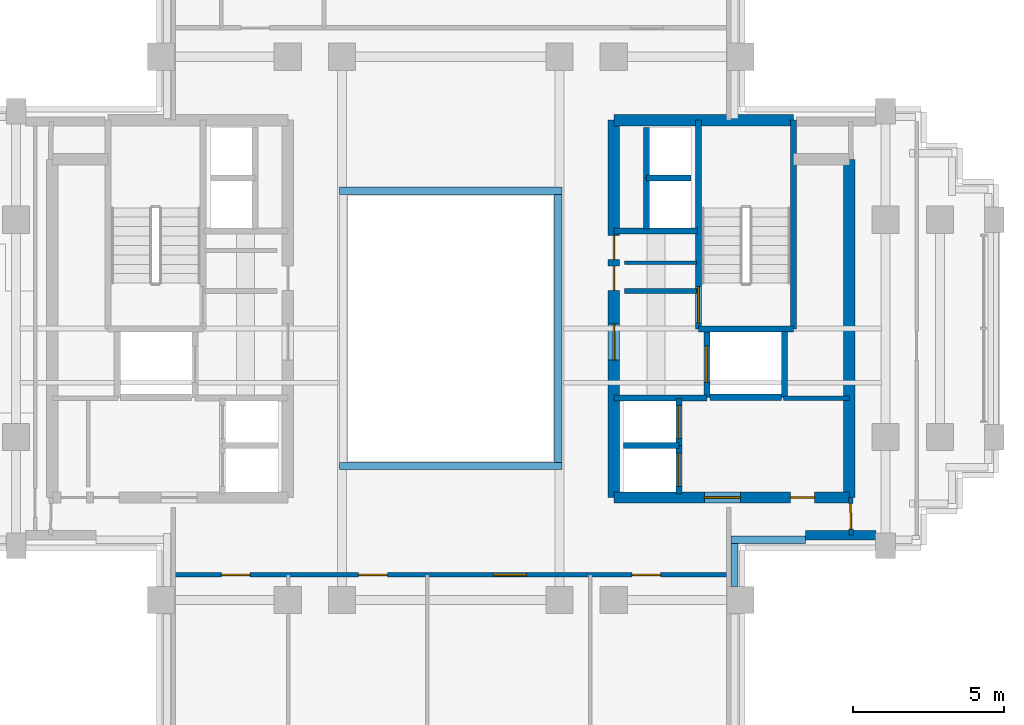
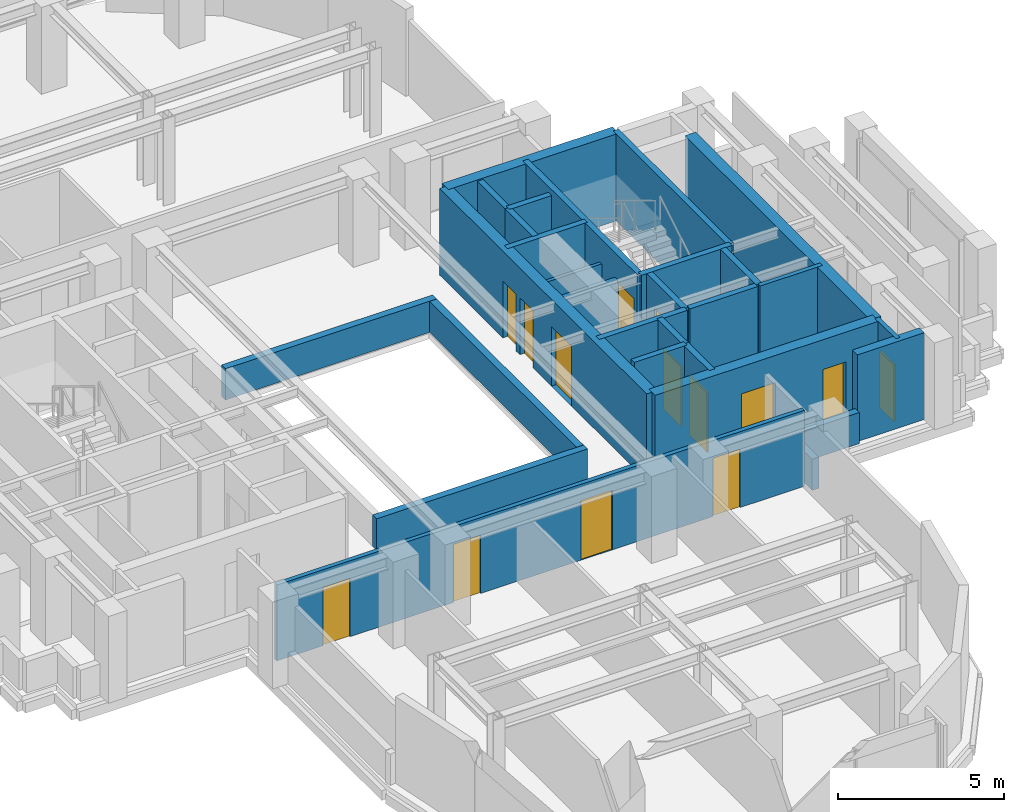
# One storey, part 7 of 11: 29 walls, 14 doors, 14 openings.
"""IFC4 building model written with IfcOpenShell, lengths in metres."""

from ifc_helpers import new_model, si_unit, direction, frame, frame_2d, origin, place, context, subcontext, project, spatial, rectangle, extrude, source, transform, mapped, material, layer, layer_set, type_object, element, fill, save


model = new_model("IFC4")

# Units and contexts
model_context = context("Model", 3, precision=1e-05, world=origin(), true_north=direction((0.0, 1.0)))
body_context = subcontext(model_context, "Body", "Model", "MODEL_VIEW")
ifc_project = project(units=[si_unit("LENGTHUNIT", "METRE"), si_unit("AREAUNIT", "SQUARE_METRE"), si_unit("VOLUMEUNIT", "CUBIC_METRE"), si_unit("PLANEANGLEUNIT", "RADIAN"), si_unit("MASSUNIT", "GRAM", prefix="KILO")], contexts=[model_context])

# Site, building, storey
site_placement = place(None, origin())
site = spatial("IfcSite", under=ifc_project, at=site_placement, CompositionType="ELEMENT")
building_placement = place(site_placement, origin())
building = spatial("IfcBuilding", under=site, at=building_placement, Name="Keilestroom Media Tower", CompositionType="ELEMENT")
storey_placement = place(building_placement, frame((0.0, 0.0, 160.39990234375)))
storey = spatial("IfcBuildingStorey", under=building, at=storey_placement, Name="L43", CompositionType="ELEMENT", Elevation=160.39990234375)

# Walls
ifc_material_1 = material(Name="Precast concrete C40/50", Category="concrete")
ifc_layer_1 = layer(ifc_material_1, 0.300048828125)
ifc_layer_set_1 = layer_set([ifc_layer_1], Name="Precast concrete C40/50")
wall_type_1 = type_object("IfcWallType", Name="Exterior-Masonry-Spandrel-Wall-300", PredefinedType="SOLIDWALL", material=ifc_layer_set_1)
wall_1_placement = place(storey_placement, frame((11.75, -6.85009765625, 0.0), z_axis=(0.0, 0.0, 1.0), x_axis=(1.0, 0.0, 0.0)))
element("IfcWall", 1, at=wall_1_placement, inside=storey, type_object=wall_type_1, Name="L43 Flank Masonry Wall EWL-L43-SE-1", PredefinedType="SOLIDWALL", context=body_context, shape_type="SweptSolid", body=[
    extrude(rectangle(XDim=2.3330078125, YDim=0.300048828125, at=frame_2d((1.16650390625, 0.0))), origin(), (0.0, 0.0, 1.0), 3.2001953125),
])
ifc_material_2 = material(Name="Gypsum Plasterboard & Steel Stud", Category="steel")
ifc_layer_2 = layer(ifc_material_2, 0.1201171875)
ifc_layer_set_2 = layer_set([ifc_layer_2], Name="Gypsum Plasterboard & Steel Stud")
wall_type_2 = type_object("IfcWallType", Name="Interior-Partition-Wall-120", PredefinedType="PARTITIONING", material=ifc_layer_set_2)
wall_2_placement = place(storey_placement, frame((5.75, 2.179931640625, 0.0), z_axis=(0.0, 0.0, 1.0), x_axis=(1.0, 0.0, 0.0)))
element("IfcWall", 2, at=wall_2_placement, inside=storey, type_object=wall_type_2, Name="L43 Interior Wall WP-L43-CNE-N", PredefinedType="PARTITIONING", context=body_context, shape_type="SweptSolid", body=[
    extrude(rectangle(XDim=2.389892578125, YDim=0.1201171875, at=frame_2d((1.19482421875, 0.0))), origin(), (0.0, 0.0, 1.0), 2.300048828125),
])
ifc_layer_3 = layer(ifc_material_2, 0.14990234375)
ifc_layer_set_3 = layer_set([ifc_layer_3], Name="Gypsum Plasterboard & Steel Stud")
wall_type_3 = type_object("IfcWallType", Name="Interior-Partition-Wall-150", PredefinedType="PARTITIONING", material=ifc_layer_set_3)
wall_3_placement = place(storey_placement, frame((5.75, 1.239990234375, 0.0), z_axis=(0.0, 0.0, 1.0), x_axis=(1.0, 0.0, 0.0)))
element("IfcWall", 3, at=wall_3_placement, inside=storey, type_object=wall_type_3, Name="L43 Interior Wall WP-L43-FFE-TOP", PredefinedType="PARTITIONING", context=body_context, shape_type="SweptSolid", body=[
    extrude(rectangle(XDim=2.389892578125, YDim=0.14990234375, at=frame_2d((1.19482421875, 0.0))), origin(), (0.0, 0.0, 1.0), 2.300048828125),
])
wall_4_placement = place(storey_placement, frame((11.02001953125, -2.320068359375, 0.0), z_axis=(0.0, 0.0, 1.0), x_axis=(1.0, 0.0, 0.0)))
element("IfcWall", 4, at=wall_4_placement, inside=storey, type_object=wall_type_3, Name="L43 Interior Wall WP-L43-RECLE-N", PredefinedType="PARTITIONING", context=body_context, shape_type="SweptSolid", body=[
    extrude(rectangle(XDim=2.179931640625, YDim=0.14990234375, at=frame_2d((1.08984375, 0.0))), origin(), (0.0, 0.0, 1.0), 3.2001953125),
])

# Wall, openings, doors
wall_5_placement = place(storey_placement, frame((-9.199951171875, -8.159912109375, 0.0), z_axis=(0.0, 0.0, 1.0), x_axis=(1.0, 0.0, 0.0)))
wall_5 = element("IfcWall", 5, at=wall_5_placement, inside=storey, type_object=wall_type_3, Name="L43 Interior Wall WP-L43-SL-BASE", PredefinedType="PARTITIONING", context=body_context, shape_type="SweptSolid", body=[
    extrude(rectangle(XDim=18.39990234375, YDim=0.14990234375, at=frame_2d((9.199951171875, 0.0))), origin(), (0.0, 0.0, 1.0), 2.800048828125),
])
opening_1_placement = place(wall_5_placement, frame((1.60009765625, 0.0, 0.0)))
opening_1 = element("IfcOpeningElement", 6, at=opening_1_placement, cuts=wall_5, Name="Opening DI-03", PredefinedType="OPENING", context=body_context, shape_type="SweptSolid", body=[
    extrude(rectangle(XDim=0.949951171875, YDim=2.14990234375, at=frame_2d((0.47509765625, 1.074951171875))), frame((0.0, 0.0849609375, 0.0), z_axis=(0.0, -1.0, 0.0), x_axis=(1.0, 0.0, 0.0)), (0.0, 0.0, 1.0), 0.169921875),
])
opening_2_placement = place(wall_5_placement, frame((6.14990234375, 0.0, 0.0)))
opening_2 = element("IfcOpeningElement", 7, at=opening_2_placement, cuts=wall_5, Name="Opening DI-03", PredefinedType="OPENING", context=body_context, shape_type="SweptSolid", body=[
    extrude(rectangle(XDim=0.949951171875, YDim=2.14990234375, at=frame_2d((0.47509765625, 1.074951171875))), frame((0.0, 0.0849609375, 0.0), z_axis=(0.0, -1.0, 0.0), x_axis=(1.0, 0.0, 0.0)), (0.0, 0.0, 1.0), 0.169921875),
])
opening_3_placement = place(wall_5_placement, frame((10.60009765625, 0.0, 0.0)))
opening_3 = element("IfcOpeningElement", 8, at=opening_3_placement, cuts=wall_5, Name="Opening DI-04", PredefinedType="OPENING", context=body_context, shape_type="SweptSolid", body=[
    extrude(rectangle(XDim=1.10009765625, YDim=2.199951171875, at=frame_2d((0.550048828125, 1.10009765625))), frame((0.0, 0.0849609375, 0.0), z_axis=(0.0, -1.0, 0.0), x_axis=(1.0, 0.0, 0.0)), (0.0, 0.0, 1.0), 0.169921875),
])
opening_4_placement = place(wall_5_placement, frame((15.199951171875, 0.0, 0.0)))
opening_4 = element("IfcOpeningElement", 9, at=opening_4_placement, cuts=wall_5, Name="Opening DI-03", PredefinedType="OPENING", context=body_context, shape_type="SweptSolid", body=[
    extrude(rectangle(XDim=0.949951171875, YDim=2.14990234375, at=frame_2d((0.47509765625, 1.074951171875))), frame((0.0, 0.0849609375, 0.0), z_axis=(0.0, -1.0, 0.0), x_axis=(1.0, 0.0, 0.0)), (0.0, 0.0, 1.0), 0.169921875),
])
ifc_material_3 = material(Name="Lacquered European Oak Leaf", Category="wood")
door_type_1 = type_object("IfcDoorType", Name="Interior-Room-And-Suite-Door-DI-03", OperationType="NOTDEFINED", PredefinedType="DOOR", material=ifc_material_3)
shared_shape_1 = source(origin(), body_context, "Body", "SweptSolid", [
    extrude(rectangle(XDim=0.949951171875, YDim=2.14990234375, at=frame_2d((0.47509765625, 1.074951171875))), frame((0.0, 0.02490234375, 0.0), z_axis=(0.0, -1.0, 0.0), x_axis=(1.0, 0.0, 0.0)), (0.0, 0.0, 1.0), 0.050048828125),
])
door_1_placement = place(opening_1_placement, origin())
door_1 = element("IfcDoor", 10, at=door_1_placement, inside=storey, type_object=door_type_1, Name="L43 Interior Door DI-L43-DSL-Q1", OperationType="SINGLE_SWING_RIGHT", OverallHeight=2.14990234375, OverallWidth=0.949951171875, PredefinedType="DOOR", context=body_context, shape_type="MappedRepresentation", body=[
    mapped(shared_shape_1, transform((0.0, 0.0, 0.0), x_axis=(1.0, 0.0, 0.0), y_axis=(0.0, 1.0, 0.0), z_axis=(0.0, 0.0, 1.0), scale=1.0)),
])
fill(opening_1, door_1)
door_2_placement = place(opening_2_placement, origin())
door_2 = element("IfcDoor", 11, at=door_2_placement, inside=storey, type_object=door_type_1, Name="L43 Interior Door DI-L43-DSL-Q2", OperationType="SINGLE_SWING_LEFT", OverallHeight=2.14990234375, OverallWidth=0.949951171875, PredefinedType="DOOR", context=body_context, shape_type="MappedRepresentation", body=[
    mapped(shared_shape_1, transform((0.0, 0.0, 0.0), x_axis=(1.0, 0.0, 0.0), y_axis=(0.0, 1.0, 0.0), z_axis=(0.0, 0.0, 1.0), scale=1.0)),
])
fill(opening_2, door_2)
door_3_placement = place(opening_4_placement, origin())
door_3 = element("IfcDoor", 12, at=door_3_placement, inside=storey, type_object=door_type_1, Name="L43 Interior Door DI-L43-DSL-Q4", OperationType="SINGLE_SWING_LEFT", OverallHeight=2.14990234375, OverallWidth=0.949951171875, PredefinedType="DOOR", context=body_context, shape_type="MappedRepresentation", body=[
    mapped(shared_shape_1, transform((0.0, 0.0, 0.0), x_axis=(1.0, 0.0, 0.0), y_axis=(0.0, 1.0, 0.0), z_axis=(0.0, 0.0, 1.0), scale=1.0)),
])
fill(opening_4, door_3)
ifc_material_4 = material(Name="Acoustic Glazed Aluminium Leaf", Category="aluminium")
door_type_2 = type_object("IfcDoorType", Name="Interior-Room-And-Suite-Door-DI-04", OperationType="NOTDEFINED", PredefinedType="DOOR", material=ifc_material_4)
shared_shape_2 = source(origin(), body_context, "Body", "SweptSolid", [
    extrude(rectangle(XDim=1.10009765625, YDim=2.199951171875, at=frame_2d((0.550048828125, 1.10009765625))), frame((0.0, 0.02490234375, 0.0), z_axis=(0.0, -1.0, 0.0), x_axis=(1.0, 0.0, 0.0)), (0.0, 0.0, 1.0), 0.050048828125),
])
door_4_placement = place(opening_3_placement, origin())
door_4 = element("IfcDoor", 13, at=door_4_placement, inside=storey, type_object=door_type_2, Name="L43 Interior Door DI-L43-DSL-Q3", OperationType="SINGLE_SWING_RIGHT", OverallHeight=2.199951171875, OverallWidth=1.10009765625, PredefinedType="DOOR", context=body_context, shape_type="MappedRepresentation", body=[
    mapped(shared_shape_2, transform((0.0, 0.0, 0.0), x_axis=(1.0, 0.0, 0.0), y_axis=(0.0, 1.0, 0.0), z_axis=(0.0, 0.0, 1.0), scale=1.0)),
])
fill(opening_3, door_4)

# Wall, opening, door
wall_6_placement = place(storey_placement, frame((13.260009765625, -6.85009765625, 0.0), z_axis=(0.0, 0.0, 1.0), x_axis=(-0.016013571389, 0.999871774545, 0.0)))
wall_6 = element("IfcWall", 14, at=wall_6_placement, inside=storey, type_object=wall_type_3, Name="L43 Interior Wall WP-L43-EA-ENTS", PredefinedType="PARTITIONING", context=body_context, shape_type="SweptSolid", body=[
    extrude(rectangle(XDim=1.250244140625, YDim=0.14990234375, at=frame_2d((0.625, 0.0))), origin(), (0.0, 0.0, 1.0), 3.2001953125),
])
opening_5_placement = place(wall_6_placement, frame((0.199951171875, 0.0, 0.0)))
opening_5 = element("IfcOpeningElement", 15, at=opening_5_placement, cuts=wall_6, Name="Opening DI-05", PredefinedType="OPENING", context=body_context, shape_type="SweptSolid", body=[
    extrude(rectangle(XDim=0.85009765625, YDim=2.10009765625, at=frame_2d((0.425048828125, 1.050048828125))), frame((0.0, 0.0849609375, 0.0), z_axis=(0.0, -1.0, 0.0), x_axis=(1.0, 0.0, 0.0)), (0.0, 0.0, 1.0), 0.169921875),
])
ifc_material_5 = material(Name="Moisture-Resistant Oak Leaf", Category="wood")
door_type_3 = type_object("IfcDoorType", Name="Interior-En-Suite-And-Cupboard-Door-DI-05", OperationType="NOTDEFINED", PredefinedType="DOOR", material=ifc_material_5)
shared_shape_3 = source(origin(), body_context, "Body", "SweptSolid", [
    extrude(rectangle(XDim=0.85009765625, YDim=2.10009765625, at=frame_2d((0.425048828125, 1.050048828125))), frame((0.0, 0.02490234375, 0.0), z_axis=(0.0, -1.0, 0.0), x_axis=(1.0, 0.0, 0.0)), (0.0, 0.0, 1.0), 0.050048828125),
])
door_5_placement = place(opening_5_placement, origin())
door_5 = element("IfcDoor", 16, at=door_5_placement, inside=storey, type_object=door_type_3, Name="L43 Interior Door DI-L43-DEA-W", OperationType="SINGLE_SWING_LEFT", OverallHeight=2.10009765625, OverallWidth=0.85009765625, PredefinedType="DOOR", context=body_context, shape_type="MappedRepresentation", body=[
    mapped(shared_shape_3, transform((0.0, 0.0, 0.0), x_axis=(1.0, 0.0, 0.0), y_axis=(0.0, 1.0, 0.0), z_axis=(0.0, 0.0, 1.0), scale=1.0)),
])
fill(opening_5, door_5)

# Wall
ifc_material_6 = material(Name="Concrete C55/67", Category="concrete")
ifc_layer_4 = layer(ifc_material_6, 0.3798828125)
ifc_layer_set_4 = layer_set([ifc_layer_4], Name="Concrete C55/67")
wall_type_4 = type_object("IfcWallType", Name="Reinforced-Concrete-Core-Shear-Wall-380", PredefinedType="SHEAR", material=ifc_layer_set_4)
wall_7_placement = place(storey_placement, frame((13.199951171875, -5.60009765625, 0.0), z_axis=(0.0, 0.0, 1.0), x_axis=(0.0, 1.0, 0.0)))
element("IfcWall", 17, at=wall_7_placement, inside=storey, type_object=wall_type_4, Name="L43 Core Shear Wall WL-L43-CORE-E-OUT", PredefinedType="SHEAR", context=body_context, shape_type="SweptSolid", body=[
    extrude(rectangle(XDim=11.2001953125, YDim=0.3798828125, at=frame_2d((5.60009765625, 0.0))), origin(), (0.0, 0.0, 1.0), 3.2001953125),
])

# Wall, openings, doors
wall_8_placement = place(storey_placement, frame((5.39990234375, -5.60009765625, 0.0), z_axis=(0.0, 0.0, 1.0), x_axis=(0.0, 1.0, 0.0)))
wall_8 = element("IfcWall", 18, at=wall_8_placement, inside=storey, type_object=wall_type_4, Name="L43 Core Shear Wall WL-L43-CORE-E-IN", PredefinedType="SHEAR", context=body_context, shape_type="SweptSolid", body=[
    extrude(rectangle(XDim=12.5, YDim=0.3798828125, at=frame_2d((6.25, 0.0))), origin(), (0.0, 0.0, 1.0), 3.2001953125),
])
opening_6_placement = place(wall_8_placement, frame((4.550048828125, 0.0, 0.0)))
opening_6 = element("IfcOpeningElement", 19, at=opening_6_placement, cuts=wall_8, Name="Opening DI-02", PredefinedType="OPENING", context=body_context, shape_type="SweptSolid", body=[
    extrude(rectangle(XDim=1.199951171875, YDim=2.199951171875, at=frame_2d((0.60009765625, 1.10009765625))), frame((0.0, 0.199951171875, 0.0), z_axis=(0.0, -1.0, 0.0), x_axis=(1.0, 0.0, 0.0)), (0.0, 0.0, 1.0), 0.39990234375),
])
opening_7_placement = place(wall_8_placement, frame((6.860107421875, 0.0, 0.0)))
opening_7 = element("IfcOpeningElement", 20, at=opening_7_placement, cuts=wall_8, Name="Opening DI-06", PredefinedType="OPENING", context=body_context, shape_type="SweptSolid", body=[
    extrude(rectangle(XDim=0.800048828125, YDim=2.10009765625, at=frame_2d((0.39990234375, 1.050048828125))), frame((0.0, 0.199951171875, 0.0), z_axis=(0.0, -1.0, 0.0), x_axis=(1.0, 0.0, 0.0)), (0.0, 0.0, 1.0), 0.39990234375),
])
opening_8_placement = place(wall_8_placement, frame((7.8798828125, 0.0, 0.0)))
opening_8 = element("IfcOpeningElement", 21, at=opening_8_placement, cuts=wall_8, Name="Opening DI-06", PredefinedType="OPENING", context=body_context, shape_type="SweptSolid", body=[
    extrude(rectangle(XDim=0.800048828125, YDim=2.10009765625, at=frame_2d((0.39990234375, 1.050048828125))), frame((0.0, 0.199951171875, 0.0), z_axis=(0.0, -1.0, 0.0), x_axis=(1.0, 0.0, 0.0)), (0.0, 0.0, 1.0), 0.39990234375),
])
ifc_material_7 = material(Name="Powder-Coated Steel Fire Leaf", Category="steel")
door_type_4 = type_object("IfcDoorType", Name="Interior-Compartment-Fire-Door-DI-02", OperationType="NOTDEFINED", PredefinedType="DOOR", material=ifc_material_7)
shared_shape_4 = source(origin(), body_context, "Body", "SweptSolid", [
    extrude(rectangle(XDim=1.199951171875, YDim=2.199951171875, at=frame_2d((0.60009765625, 1.10009765625))), frame((0.0, 0.02490234375, 0.0), z_axis=(0.0, -1.0, 0.0), x_axis=(1.0, 0.0, 0.0)), (0.0, 0.0, 1.0), 0.050048828125),
])
door_6_placement = place(opening_6_placement, origin())
door_6 = element("IfcDoor", 22, at=door_6_placement, inside=storey, type_object=door_type_4, Name="L43 E Firefighting Lobby Door", OperationType="SINGLE_SWING_LEFT", OverallHeight=2.199951171875, OverallWidth=1.199951171875, PredefinedType="DOOR", context=body_context, shape_type="MappedRepresentation", body=[
    mapped(shared_shape_4, transform((0.0, 0.0, 0.0), x_axis=(1.0, 0.0, 0.0), y_axis=(0.0, 1.0, 0.0), z_axis=(0.0, 0.0, 1.0), scale=1.0)),
])
fill(opening_6, door_6)
ifc_material_8 = material(Name="Powder-Coated Steel Service Leaf", Category="steel")
door_type_5 = type_object("IfcDoorType", Name="Interior-Riser-Access-Door-DI-06", OperationType="NOTDEFINED", PredefinedType="DOOR", material=ifc_material_8)
shared_shape_5 = source(origin(), body_context, "Body", "SweptSolid", [
    extrude(rectangle(XDim=0.800048828125, YDim=2.10009765625, at=frame_2d((0.39990234375, 1.050048828125))), frame((0.0, 0.02490234375, 0.0), z_axis=(0.0, -1.0, 0.0), x_axis=(1.0, 0.0, 0.0)), (0.0, 0.0, 1.0), 0.050048828125),
])
door_7_placement = place(opening_7_placement, origin())
door_7 = element("IfcDoor", 23, at=door_7_placement, inside=storey, type_object=door_type_5, Name="L43 East Core Telecom Door", OperationType="SINGLE_SWING_RIGHT", OverallHeight=2.10009765625, OverallWidth=0.800048828125, PredefinedType="DOOR", context=body_context, shape_type="MappedRepresentation", body=[
    mapped(shared_shape_5, transform((0.0, 0.0, 0.0), x_axis=(1.0, 0.0, 0.0), y_axis=(0.0, 1.0, 0.0), z_axis=(0.0, 0.0, 1.0), scale=1.0)),
])
fill(opening_7, door_7)
door_8_placement = place(opening_8_placement, origin())
door_8 = element("IfcDoor", 24, at=door_8_placement, inside=storey, type_object=door_type_5, Name="L43 East Core Closet Door", OperationType="SINGLE_SWING_RIGHT", OverallHeight=2.10009765625, OverallWidth=0.800048828125, PredefinedType="DOOR", context=body_context, shape_type="MappedRepresentation", body=[
    mapped(shared_shape_5, transform((0.0, 0.0, 0.0), x_axis=(1.0, 0.0, 0.0), y_axis=(0.0, 1.0, 0.0), z_axis=(0.0, 0.0, 1.0), scale=1.0)),
])
fill(opening_8, door_8)

# Wall
wall_9_placement = place(storey_placement, frame((5.39990234375, 6.89990234375, 0.0), z_axis=(0.0, 0.0, 1.0), x_axis=(1.0, 0.0, 0.0)))
element("IfcWall", 25, at=wall_9_placement, inside=storey, type_object=wall_type_4, Name="L43 Core Shear Wall WL-L43-CORE-E-N", PredefinedType="SHEAR", context=body_context, shape_type="SweptSolid", body=[
    extrude(rectangle(XDim=5.9560546875, YDim=0.3798828125, at=frame_2d((2.97802734375, 0.0))), origin(), (0.0, 0.0, 1.0), 3.2001953125),
])

# Wall, openings, doors
wall_10_placement = place(storey_placement, frame((5.39990234375, -5.60009765625, 0.0), z_axis=(0.0, 0.0, 1.0), x_axis=(1.0, 0.0, 0.0)))
wall_10 = element("IfcWall", 26, at=wall_10_placement, inside=storey, type_object=wall_type_4, Name="L43 Core Shear Wall WL-L43-CORE-E-S", PredefinedType="SHEAR", context=body_context, shape_type="SweptSolid", body=[
    extrude(rectangle(XDim=7.800048828125, YDim=0.3798828125, at=frame_2d((3.89990234375, 0.0))), origin(), (0.0, 0.0, 1.0), 3.2001953125),
])
opening_9_placement = place(wall_10_placement, frame((3.0, 0.0, 0.0)))
opening_9 = element("IfcOpeningElement", 27, at=opening_9_placement, cuts=wall_10, Name="Opening DI-02", PredefinedType="OPENING", context=body_context, shape_type="SweptSolid", body=[
    extrude(rectangle(XDim=1.199951171875, YDim=2.199951171875, at=frame_2d((0.60009765625, 1.10009765625))), frame((0.0, 0.199951171875, 0.0), z_axis=(0.0, -1.0, 0.0), x_axis=(1.0, 0.0, 0.0)), (0.0, 0.0, 1.0), 0.39990234375),
])
opening_10_placement = place(wall_10_placement, frame((5.85009765625, 0.0, 0.0)))
opening_10 = element("IfcOpeningElement", 28, at=opening_10_placement, cuts=wall_10, Name="Opening DI-06", PredefinedType="OPENING", context=body_context, shape_type="SweptSolid", body=[
    extrude(rectangle(XDim=0.800048828125, YDim=2.10009765625, at=frame_2d((0.39990234375, 1.050048828125))), frame((0.0, 0.199951171875, 0.0), z_axis=(0.0, -1.0, 0.0), x_axis=(1.0, 0.0, 0.0)), (0.0, 0.0, 1.0), 0.39990234375),
])
door_9_placement = place(opening_9_placement, origin())
door_9 = element("IfcDoor", 29, at=door_9_placement, inside=storey, type_object=door_type_4, Name="L43 E Passenger Lift Lobby Door", OperationType="SINGLE_SWING_RIGHT", OverallHeight=2.199951171875, OverallWidth=1.199951171875, PredefinedType="DOOR", context=body_context, shape_type="MappedRepresentation", body=[
    mapped(shared_shape_4, transform((0.0, 0.0, 0.0), x_axis=(1.0, 0.0, 0.0), y_axis=(0.0, 1.0, 0.0), z_axis=(0.0, 0.0, 1.0), scale=1.0)),
])
fill(opening_9, door_9)
door_10_placement = place(opening_10_placement, origin())
door_10 = element("IfcDoor", 30, at=door_10_placement, inside=storey, type_object=door_type_5, Name="L43 Reclaimed East Core Room Door", OperationType="SINGLE_SWING_RIGHT", OverallHeight=2.10009765625, OverallWidth=0.800048828125, PredefinedType="DOOR", context=body_context, shape_type="MappedRepresentation", body=[
    mapped(shared_shape_5, transform((0.0, 0.0, 0.0), x_axis=(1.0, 0.0, 0.0), y_axis=(0.0, 1.0, 0.0), z_axis=(0.0, 0.0, 1.0), scale=1.0)),
])
fill(opening_10, door_10)

# Walls
ifc_material_9 = material(Name="Concrete C50/60", Category="concrete")
ifc_layer_5 = layer(ifc_material_9, 0.199951171875)
ifc_layer_set_5 = layer_set([ifc_layer_5], Name="Concrete C50/60")
wall_type_5 = type_object("IfcWallType", Name="Reinforced-Concrete-Shaft-Wall-200", PredefinedType="SOLIDWALL", material=ifc_layer_set_5)
wall_11_placement = place(storey_placement, frame((5.39990234375, 3.219970703125, 0.0), z_axis=(0.0, 0.0, 1.0), x_axis=(1.0, 0.0, 0.0)))
element("IfcWall", 31, at=wall_11_placement, inside=storey, type_object=wall_type_5, Name="L43 Core Shear Wall WL-L43-CORE-E-FFN", PredefinedType="SOLIDWALL", context=body_context, shape_type="SweptSolid", body=[
    extrude(rectangle(XDim=2.780029296875, YDim=0.199951171875, at=frame_2d((1.39013671875, 0.0))), origin(), (0.0, 0.0, 1.0), 3.2001953125),
])
wall_12_placement = place(storey_placement, frame((5.39990234375, -2.300048828125, 0.0), z_axis=(0.0, 0.0, 1.0), x_axis=(1.0, 0.0, 0.0)))
element("IfcWall", 32, at=wall_12_placement, inside=storey, type_object=wall_type_5, Name="L43 Core Shear Wall WL-L43-CORE-E-FFS", PredefinedType="SOLIDWALL", context=body_context, shape_type="SweptSolid", body=[
    extrude(rectangle(XDim=3.080078125, YDim=0.199951171875, at=frame_2d((1.5400390625, 0.0))), origin(), (0.0, 0.0, 1.0), 3.2001953125),
])

# Wall, opening, door
wall_13_placement = place(storey_placement, frame((8.2041015625, -0.01611328125, 0.0), z_axis=(0.0, 0.0, 1.0), x_axis=(0.0, 1.0, 0.0)))
wall_13 = element("IfcWall", 33, at=wall_13_placement, inside=storey, type_object=wall_type_5, Name="L43 Core Shear Wall WL-L43-STW-E-NEAR", PredefinedType="SOLIDWALL", context=body_context, shape_type="SweptSolid", body=[
    extrude(rectangle(XDim=6.916015625, YDim=0.199951171875, at=frame_2d((3.4580078125, 0.0))), origin(), (0.0, 0.0, 1.0), 3.2001953125),
])
opening_11_placement = place(wall_13_placement, frame((0.199951171875, 0.0, 0.0)))
opening_11 = element("IfcOpeningElement", 34, at=opening_11_placement, cuts=wall_13, Name="Opening DI-01S", PredefinedType="OPENING", context=body_context, shape_type="SweptSolid", body=[
    extrude(rectangle(XDim=1.199951171875, YDim=2.199951171875, at=frame_2d((0.60009765625, 1.10009765625))), frame((0.0, 0.10986328125, 0.0), z_axis=(0.0, -1.0, 0.0), x_axis=(1.0, 0.0, 0.0)), (0.0, 0.0, 1.0), 0.219970703125),
])
door_type_6 = type_object("IfcDoorType", Name="Interior-Stair-And-Core-Fire-Door-DI-01", OperationType="NOTDEFINED", PredefinedType="DOOR", material=ifc_material_7)
door_11_placement = place(opening_11_placement, origin())
door_11 = element("IfcDoor", 35, at=door_11_placement, inside=storey, type_object=door_type_6, Name="L43 Escape Stair ST-2 Fire Door", OperationType="SINGLE_SWING_RIGHT", OverallHeight=2.199951171875, OverallWidth=1.199951171875, PredefinedType="DOOR", context=body_context, shape_type="MappedRepresentation", body=[
    mapped(shared_shape_4, transform((0.0, 0.0, 0.0), x_axis=(1.0, 0.0, 0.0), y_axis=(0.0, 1.0, 0.0), z_axis=(0.0, 0.0, 1.0), scale=1.0)),
])
fill(opening_11, door_11)

# Walls
wall_14_placement = place(storey_placement, frame((11.35595703125, -0.01611328125, 0.0), z_axis=(0.0, 0.0, 1.0), x_axis=(0.0, 1.0, 0.0)))
element("IfcWall", 36, at=wall_14_placement, inside=storey, type_object=wall_type_5, Name="L43 Core Shear Wall WL-L43-STW-E-FAR", PredefinedType="SOLIDWALL", context=body_context, shape_type="SweptSolid", body=[
    extrude(rectangle(XDim=6.916015625, YDim=0.199951171875, at=frame_2d((3.4580078125, 0.0))), origin(), (0.0, 0.0, 1.0), 3.2001953125),
])
wall_15_placement = place(storey_placement, frame((8.2041015625, -0.01611328125, 0.0), z_axis=(0.0, 0.0, 1.0), x_axis=(1.0, 0.0, 0.0)))
element("IfcWall", 37, at=wall_15_placement, inside=storey, type_object=wall_type_5, Name="L43 Core Shear Wall WL-L43-STW-E-S", PredefinedType="SOLIDWALL", context=body_context, shape_type="SweptSolid", body=[
    extrude(rectangle(XDim=3.15185546875, YDim=0.199951171875, at=frame_2d((1.575927734375, 0.0))), origin(), (0.0, 0.0, 1.0), 3.2001953125),
])

# Wall, opening, door
wall_16_placement = place(storey_placement, frame((8.47998046875, -2.280029296875, 0.0), z_axis=(0.0, 0.0, 1.0), x_axis=(0.0, 1.0, 0.0)))
wall_16 = element("IfcWall", 38, at=wall_16_placement, inside=storey, type_object=wall_type_5, Name="L43 Core Shear Wall WL-L43-LSH-FFL-2-W", PredefinedType="SOLIDWALL", context=body_context, shape_type="SweptSolid", body=[
    extrude(rectangle(XDim=2.179931640625, YDim=0.199951171875, at=frame_2d((1.08984375, 0.0))), origin(), (0.0, 0.0, 1.0), 3.2001953125),
])
opening_12_placement = place(wall_16_placement, frame((0.489990234375, 0.0, 0.0)))
opening_12 = element("IfcOpeningElement", 39, at=opening_12_placement, cuts=wall_16, Name="Opening LD-02", PredefinedType="OPENING", context=body_context, shape_type="SweptSolid", body=[
    extrude(rectangle(XDim=1.199951171875, YDim=2.199951171875, at=frame_2d((0.60009765625, 1.10009765625))), frame((0.0, 0.10986328125, 0.0), z_axis=(0.0, -1.0, 0.0), x_axis=(1.0, 0.0, 0.0)), (0.0, 0.0, 1.0), 0.219970703125),
])
ifc_material_10 = material(Name="Brushed Stainless Steel Sliding Leaf", Category="steel")
door_type_7 = type_object("IfcDoorType", Name="Lift-Landing-Sliding-Door-LD-02", OperationType="SLIDING_TO_RIGHT", PredefinedType="DOOR", material=ifc_material_10)
door_12_placement = place(opening_12_placement, origin())
door_12 = element("IfcDoor", 40, at=door_12_placement, inside=storey, type_object=door_type_7, Name="L43 Lift FFL-2 Landing Sliding Door", OperationType="SLIDING_TO_RIGHT", OverallHeight=2.199951171875, OverallWidth=1.199951171875, PredefinedType="DOOR", context=body_context, shape_type="MappedRepresentation", body=[
    mapped(shared_shape_4, transform((0.0, 0.0, 0.0), x_axis=(1.0, 0.0, 0.0), y_axis=(0.0, 1.0, 0.0), z_axis=(0.0, 0.0, 1.0), scale=1.0)),
])
fill(opening_12, door_12)

# Walls
wall_17_placement = place(storey_placement, frame((11.050048828125, -2.280029296875, 0.0), z_axis=(0.0, 0.0, 1.0), x_axis=(0.0, 1.0, 0.0)))
element("IfcWall", 41, at=wall_17_placement, inside=storey, type_object=wall_type_5, Name="L43 Core Shear Wall WL-L43-LSH-FFL-2-E", PredefinedType="SOLIDWALL", context=body_context, shape_type="SweptSolid", body=[
    extrude(rectangle(XDim=2.179931640625, YDim=0.199951171875, at=frame_2d((1.08984375, 0.0))), origin(), (0.0, 0.0, 1.0), 3.2001953125),
])
wall_18_placement = place(storey_placement, frame((8.583984375, -2.280029296875, 0.0), z_axis=(0.0, 0.0, 1.0), x_axis=(1.0, 0.0, 0.0)))
element("IfcWall", 42, at=wall_18_placement, inside=storey, type_object=wall_type_5, Name="L43 Core Shear Wall WL-L43-LSH-FFL-2-S", PredefinedType="SOLIDWALL", context=body_context, shape_type="SweptSolid", body=[
    extrude(rectangle(XDim=2.362060546875, YDim=0.199951171875, at=frame_2d((1.18115234375, 0.0))), origin(), (0.0, 0.0, 1.0), 3.2001953125),
])

# Wall, opening, door
wall_19_placement = place(storey_placement, frame((7.56005859375, -5.47998046875, 0.0), z_axis=(0.0, 0.0, 1.0), x_axis=(0.0, 1.0, 0.0)))
wall_19 = element("IfcWall", 43, at=wall_19_placement, inside=storey, type_object=wall_type_5, Name="L43 Core Shear Wall WL-L43-LSH-PL-M3-E", PredefinedType="SOLIDWALL", context=body_context, shape_type="SweptSolid", body=[
    extrude(rectangle(XDim=1.60009765625, YDim=0.199951171875, at=frame_2d((0.800048828125, 0.0))), origin(), (0.0, 0.0, 1.0), 3.2001953125),
])
opening_13_placement = place(wall_19_placement, frame((0.25, 0.0, 0.0)))
opening_13 = element("IfcOpeningElement", 44, at=opening_13_placement, cuts=wall_19, Name="Opening LD-01", PredefinedType="OPENING", context=body_context, shape_type="SweptSolid", body=[
    extrude(rectangle(XDim=1.10009765625, YDim=2.199951171875, at=frame_2d((0.550048828125, 1.10009765625))), frame((0.0, 0.10986328125, 0.0), z_axis=(0.0, -1.0, 0.0), x_axis=(1.0, 0.0, 0.0)), (0.0, 0.0, 1.0), 0.219970703125),
])
door_type_8 = type_object("IfcDoorType", Name="Lift-Landing-Sliding-Door-LD-01", OperationType="SLIDING_TO_LEFT", PredefinedType="DOOR", material=ifc_material_10)
door_13_placement = place(opening_13_placement, origin())
door_13 = element("IfcDoor", 45, at=door_13_placement, inside=storey, type_object=door_type_8, Name="L43 Lift PL-M3 Landing Sliding Door", OperationType="SLIDING_TO_LEFT", OverallHeight=2.199951171875, OverallWidth=1.10009765625, PredefinedType="DOOR", context=body_context, shape_type="MappedRepresentation", body=[
    mapped(shared_shape_2, transform((0.0, 0.0, 0.0), x_axis=(1.0, 0.0, 0.0), y_axis=(0.0, 1.0, 0.0), z_axis=(0.0, 0.0, 1.0), scale=1.0)),
])
fill(opening_13, door_13)

# Wall
wall_20_placement = place(storey_placement, frame((5.719970703125, -3.8798828125, 0.0), z_axis=(0.0, 0.0, 1.0), x_axis=(1.0, 0.0, 0.0)))
element("IfcWall", 46, at=wall_20_placement, inside=storey, type_object=wall_type_5, Name="L43 Core Shear Wall WL-L43-LSH-PL-M3-N", PredefinedType="SOLIDWALL", context=body_context, shape_type="SweptSolid", body=[
    extrude(rectangle(XDim=1.840087890625, YDim=0.199951171875, at=frame_2d((0.919921875, 0.0))), origin(), (0.0, 0.0, 1.0), 3.2001953125),
])

# Wall, opening, door
wall_21_placement = place(storey_placement, frame((7.56005859375, -3.8798828125, 0.0), z_axis=(0.0, 0.0, 1.0), x_axis=(0.0, 1.0, 0.0)))
wall_21 = element("IfcWall", 47, at=wall_21_placement, inside=storey, type_object=wall_type_5, Name="L43 Core Shear Wall WL-L43-LSH-PL-M4-E", PredefinedType="SOLIDWALL", context=body_context, shape_type="SweptSolid", body=[
    extrude(rectangle(XDim=1.559814453125, YDim=0.199951171875, at=frame_2d((0.77978515625, 0.0))), origin(), (0.0, 0.0, 1.0), 3.2001953125),
])
opening_14_placement = place(wall_21_placement, frame((0.22998046875, 0.0, 0.0)))
opening_14 = element("IfcOpeningElement", 48, at=opening_14_placement, cuts=wall_21, Name="Opening LD-01", PredefinedType="OPENING", context=body_context, shape_type="SweptSolid", body=[
    extrude(rectangle(XDim=1.10009765625, YDim=2.199951171875, at=frame_2d((0.550048828125, 1.10009765625))), frame((0.0, 0.10986328125, 0.0), z_axis=(0.0, -1.0, 0.0), x_axis=(1.0, 0.0, 0.0)), (0.0, 0.0, 1.0), 0.219970703125),
])
door_14_placement = place(opening_14_placement, origin())
door_14 = element("IfcDoor", 49, at=door_14_placement, inside=storey, type_object=door_type_8, Name="L43 Lift PL-M4 Landing Sliding Door", OperationType="SLIDING_TO_LEFT", OverallHeight=2.199951171875, OverallWidth=1.10009765625, PredefinedType="DOOR", context=body_context, shape_type="MappedRepresentation", body=[
    mapped(shared_shape_2, transform((0.0, 0.0, 0.0), x_axis=(1.0, 0.0, 0.0), y_axis=(0.0, 1.0, 0.0), z_axis=(0.0, 0.0, 1.0), scale=1.0)),
])
fill(opening_14, door_14)

# Walls
wall_22_placement = place(storey_placement, frame((6.47998046875, 3.300048828125, 0.0), z_axis=(0.0, 0.0, 1.0), x_axis=(0.0, 1.0, 0.0)))
element("IfcWall", 50, at=wall_22_placement, inside=storey, type_object=wall_type_5, Name="L43 Core Shear Wall WL-L43-LSH-PL-H3-W", PredefinedType="SOLIDWALL", context=body_context, shape_type="SweptSolid", body=[
    extrude(rectangle(XDim=1.679931640625, YDim=0.199951171875, at=frame_2d((0.83984375, 0.0))), origin(), (0.0, 0.0, 1.0), 3.2001953125),
])
wall_23_placement = place(storey_placement, frame((6.47998046875, 4.97998046875, 0.0), z_axis=(0.0, 0.0, 1.0), x_axis=(1.0, 0.0, 0.0)))
element("IfcWall", 51, at=wall_23_placement, inside=storey, type_object=wall_type_5, Name="L43 Core Shear Wall WL-L43-LSH-PL-H3-N", PredefinedType="SOLIDWALL", context=body_context, shape_type="SweptSolid", body=[
    extrude(rectangle(XDim=1.469970703125, YDim=0.199951171875, at=frame_2d((0.73486328125, 0.0))), origin(), (0.0, 0.0, 1.0), 3.2001953125),
])
wall_24_placement = place(storey_placement, frame((6.47998046875, 4.97998046875, 0.0), z_axis=(0.0, 0.0, 1.0), x_axis=(0.0, 1.0, 0.0)))
element("IfcWall", 52, at=wall_24_placement, inside=storey, type_object=wall_type_5, Name="L43 Core Shear Wall WL-L43-LSH-PL-H4-W", PredefinedType="SOLIDWALL", context=body_context, shape_type="SweptSolid", body=[
    extrude(rectangle(XDim=1.669921875, YDim=0.199951171875, at=frame_2d((0.8349609375, 0.0))), origin(), (0.0, 0.0, 1.0), 3.2001953125),
])
ifc_layer_6 = layer(ifc_material_1, 0.239990234375)
ifc_layer_set_6 = layer_set([ifc_layer_6], Name="Precast concrete C40/50")
wall_type_6 = type_object("IfcWallType", Name="Roof-And-Terrace-Parapet-Wall-240", PredefinedType="PARAPET", material=ifc_layer_set_6)
wall_25_placement = place(storey_placement, frame((11.7470703125, -7.0, 0.0), z_axis=(0.0, 0.0, 1.0), x_axis=(-1.0, 0.0, 0.0)))
element("IfcWall", 53, at=wall_25_placement, inside=storey, type_object=wall_type_6, Name="L43 Perimeter Edge Parapet Wall 07", PredefinedType="PARAPET", context=body_context, shape_type="SweptSolid", body=[
    extrude(rectangle(XDim=2.468994140625, YDim=0.239990234375, at=frame_2d((1.234375, 0.0))), origin(), (0.0, 0.0, 1.0), 1.150146484375),
])
wall_26_placement = place(storey_placement, frame((9.39990234375, -7.123046875, 0.0), z_axis=(0.0, 0.0, 1.0), x_axis=(0.0, -1.0, 0.0)))
element("IfcWall", 54, at=wall_26_placement, inside=storey, type_object=wall_type_6, Name="L43 Perimeter Edge Parapet Wall 08", PredefinedType="PARAPET", context=body_context, shape_type="SweptSolid", body=[
    extrude(rectangle(XDim=1.424072265625, YDim=0.239990234375, at=frame_2d((0.7119140625, 0.0))), origin(), (0.0, 0.0, 1.0), 1.150146484375),
])
for number, where, z_axis, x_axis, name in (
    (55, (-3.679931640625, -4.56005859375, 0.0), (0.0, 0.0, 1.0), (1.0, 0.0, 0.0), "L43 Central Atrium Guard Parapet S"),
    (56, (-3.679931640625, 4.56005859375, 0.0), (0.0, 0.0, 1.0), (1.0, 0.0, 0.0), "L43 Central Atrium Guard Parapet N"),
):
    element("IfcWall", number, at=place(storey_placement, frame(where, z_axis=z_axis, x_axis=x_axis)), inside=storey, type_object=wall_type_6, Name=name, PredefinedType="PARAPET", context=body_context, shape_type="SweptSolid", body=[
        extrude(rectangle(XDim=7.35986328125, YDim=0.239990234375, at=frame_2d((3.679931640625, 0.0))), origin(), (0.0, 0.0, 1.0), 1.150146484375),
    ])
wall_27_placement = place(storey_placement, frame((3.56005859375, -4.43505859375, 0.0), z_axis=(0.0, 0.0, 1.0), x_axis=(0.0, 1.0, 0.0)))
element("IfcWall", 57, at=wall_27_placement, inside=storey, type_object=wall_type_6, Name="L43 Central Atrium Guard Parapet E", PredefinedType="PARAPET", context=body_context, shape_type="SweptSolid", body=[
    extrude(rectangle(XDim=8.8701171875, YDim=0.239990234375, at=frame_2d((4.43505859375, 0.0))), origin(), (0.0, 0.0, 1.0), 1.150146484375),
])

save(model, "model.ifc")
